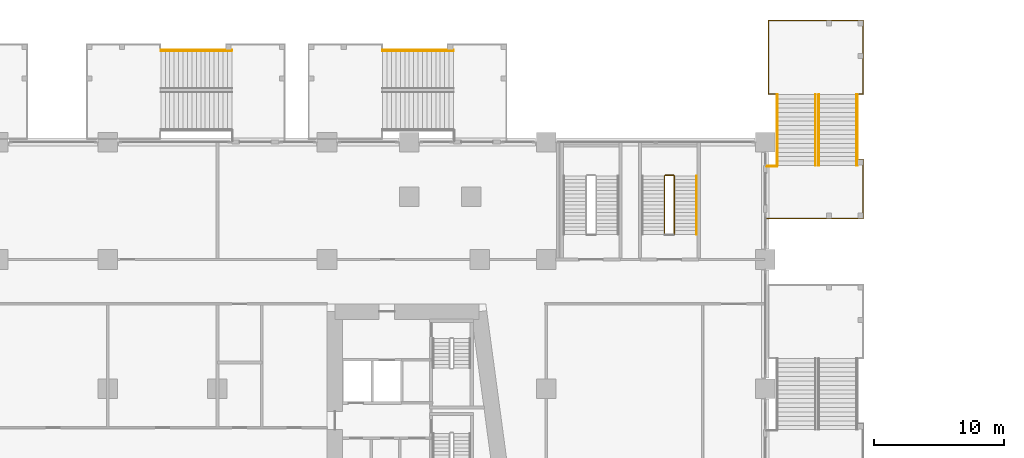
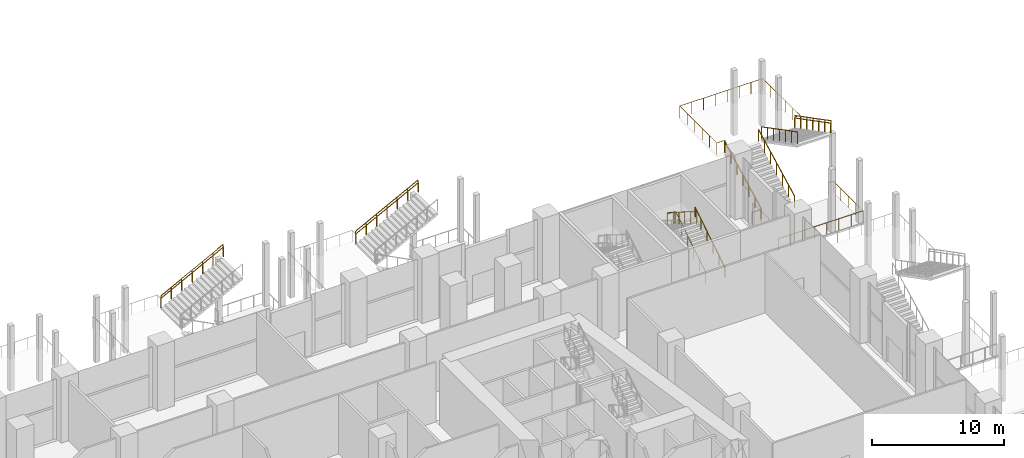
# One storey, part 46 of 49: 15 railings.
"""IFC4 building model written with IfcOpenShell, lengths in metres."""

from ifc_helpers import new_model, si_unit, direction, frame, origin, origin_2d, place, context, subcontext, project, spatial, circle, extrude, material, type_object, element, save


model = new_model("IFC4")

# Units and contexts
model_context = context("Model", 3, precision=1e-05, world=origin(), true_north=direction((0.0, 1.0)))
body_context = subcontext(model_context, "Body", "Model", "MODEL_VIEW")
ifc_project = project(units=[si_unit("LENGTHUNIT", "METRE"), si_unit("AREAUNIT", "SQUARE_METRE"), si_unit("VOLUMEUNIT", "CUBIC_METRE"), si_unit("PLANEANGLEUNIT", "RADIAN"), si_unit("MASSUNIT", "GRAM", prefix="KILO")], contexts=[model_context])

# Site, building, storey
site_placement = place(None, origin())
site = spatial("IfcSite", under=ifc_project, at=site_placement, CompositionType="ELEMENT")
building_placement = place(site_placement, origin())
building = spatial("IfcBuilding", under=site, at=building_placement, Name="Candeia Pilgrim Tower and Theatre", CompositionType="ELEMENT")
storey_placement = place(building_placement, frame((0.0, 0.0, 17.0)))
storey = spatial("IfcBuildingStorey", under=building, at=storey_placement, Name="L02", CompositionType="ELEMENT", Elevation=17.0)

# Railings
ifc_material_1 = material(Name="Stainless steel balustrade", Category="steel")
railing_type_1 = type_object("IfcRailingType", Name="RL-GUARD-1100", PredefinedType="GUARDRAIL", material=ifc_material_1)
railing_1_placement = place(storey_placement, frame((152.625, 137.72509765625, 0.176513671875)))
element("IfcRailing", 1, at=railing_1_placement, inside=storey, type_object=railing_type_1, Name="L02 PS4 stair guard 1", PredefinedType="GUARDRAIL", context=body_context, shape_type="SweptSolid", body=[
    extrude(circle(Radius=0.02392578125, at=origin_2d()), frame((0.0, 0.0, 1.076171875), z_axis=(0.0, 0.845997938375, 0.533186166611), x_axis=(-1.0, 0.0, 0.0)), (0.0, 0.0, 1.0), 5.29541015625),
    extrude(circle(Radius=0.02392578125, at=origin_2d()), frame((0.0, 4.47998046875, 3.8994140625), z_axis=(-0.708833529934, 0.705375805398, 0.0), x_axis=(-0.705375805398, -0.708833529934, 0.0)), (0.0, 0.0, 1.0), 0.070556640625),
    extrude(circle(Radius=0.02392578125, at=origin_2d()), frame((-0.050048828125, 4.52978515625, 3.8994140625), z_axis=(-1.0, 0.0, 0.0), x_axis=(0.0, -1.0, 0.0)), (0.0, 0.0, 1.0), 0.64990234375),
    extrude(circle(Radius=0.02392578125, at=origin_2d()), frame((-0.699951171875, 4.52978515625, 3.8994140625), z_axis=(-0.263260079301, -0.261975883792, 0.928473352853), x_axis=(0.705375805398, -0.708833529934, 0.0)), (0.0, 0.0, 1.0), 0.190185546875),
    extrude(circle(Radius=0.02392578125, at=origin_2d()), frame((-0.75, 4.47998046875, 4.076171875), z_axis=(0.0, -0.845997938375, 0.533186166611), x_axis=(1.0, 0.0, 0.0)), (0.0, 0.0, 1.0), 5.29541015625),
    extrude(circle(Radius=0.02099609375, at=origin_2d()), origin(), (0.0, 0.0, 1.0), 1.052001953125),
    extrude(circle(Radius=0.02099609375, at=origin_2d()), frame((0.0, 0.89599609375, 0.564697265625)), (0.0, 0.0, 1.0), 1.052001953125),
    extrude(circle(Radius=0.02099609375, at=origin_2d()), frame((0.0, 1.7919921875, 1.12939453125)), (0.0, 0.0, 1.0), 1.052001953125),
    extrude(circle(Radius=0.02099609375, at=origin_2d()), frame((0.0, 2.68798828125, 1.694091796875)), (0.0, 0.0, 1.0), 1.052001953125),
    extrude(circle(Radius=0.02099609375, at=origin_2d()), frame((0.0, 3.583984375, 2.2587890625)), (0.0, 0.0, 1.0), 1.052001953125),
    extrude(circle(Radius=0.02099609375, at=origin_2d()), frame((0.0, 4.47998046875, 2.823486328125)), (0.0, 0.0, 1.0), 1.052001953125),
    extrude(circle(Radius=0.02099609375, at=origin_2d()), frame((-0.050048828125, 4.52978515625, 2.823486328125)), (0.0, 0.0, 1.0), 1.052001953125),
    extrude(circle(Radius=0.02099609375, at=origin_2d()), frame((-0.699951171875, 4.52978515625, 2.823486328125)), (0.0, 0.0, 1.0), 1.052001953125),
    extrude(circle(Radius=0.02099609375, at=origin_2d()), frame((-0.75, 4.47998046875, 3.0)), (0.0, 0.0, 1.0), 1.052001953125),
    extrude(circle(Radius=0.02099609375, at=origin_2d()), frame((-0.75, 3.583984375, 3.564697265625)), (0.0, 0.0, 1.0), 1.052001953125),
    extrude(circle(Radius=0.02099609375, at=origin_2d()), frame((-0.75, 2.68798828125, 4.12939453125)), (0.0, 0.0, 1.0), 1.052001953125),
    extrude(circle(Radius=0.02099609375, at=origin_2d()), frame((-0.75, 1.7919921875, 4.694091796875)), (0.0, 0.0, 1.0), 1.052001953125),
    extrude(circle(Radius=0.02099609375, at=origin_2d()), frame((-0.75, 0.89599609375, 5.2587890625)), (0.0, 0.0, 1.0), 1.052001953125),
    extrude(circle(Radius=0.02099609375, at=origin_2d()), frame((-0.75, 0.0, 5.823486328125)), (0.0, 0.0, 1.0), 1.052001953125),
])
railing_2_placement = place(storey_placement, frame((163.449951171875, 143.0, 0.176513671875)))
element("IfcRailing", 2, at=railing_2_placement, inside=storey, type_object=railing_type_1, Name="L02 ES2 stair guard 1", PredefinedType="GUARDRAIL", context=body_context, shape_type="SweptSolid", body=[
    extrude(circle(Radius=0.02392578125, at=origin_2d()), frame((0.0, 0.0, 1.076171875), z_axis=(0.0, 0.887569374008, 0.460674078198), x_axis=(-1.0, 0.0, 0.0)), (0.0, 0.0, 1.0), 6.129150390625),
    extrude(circle(Radius=0.02099609375, at=origin_2d()), origin(), (0.0, 0.0, 1.0), 1.052001953125),
    extrude(circle(Radius=0.02099609375, at=origin_2d()), frame((0.0, 0.90673828125, 0.470703125)), (0.0, 0.0, 1.0), 1.052001953125),
    extrude(circle(Radius=0.02099609375, at=origin_2d()), frame((0.0, 1.813232421875, 0.941162109375)), (0.0, 0.0, 1.0), 1.052001953125),
    extrude(circle(Radius=0.02099609375, at=origin_2d()), frame((0.0, 2.719970703125, 1.41162109375)), (0.0, 0.0, 1.0), 1.052001953125),
    extrude(circle(Radius=0.02099609375, at=origin_2d()), frame((0.0, 3.626708984375, 1.88232421875)), (0.0, 0.0, 1.0), 1.052001953125),
    extrude(circle(Radius=0.02099609375, at=origin_2d()), frame((0.0, 4.533203125, 2.35302734375)), (0.0, 0.0, 1.0), 1.052001953125),
    extrude(circle(Radius=0.02099609375, at=origin_2d()), frame((0.0, 5.43994140625, 2.823486328125)), (0.0, 0.0, 1.0), 1.052001953125),
])
railing_3_placement = place(storey_placement, frame((163.699951171875, 148.43994140625, 3.176513671875)))
element("IfcRailing", 3, at=railing_3_placement, inside=storey, type_object=railing_type_1, Name="L02 ES2 stair guard 2", PredefinedType="GUARDRAIL", context=body_context, shape_type="SweptSolid", body=[
    extrude(circle(Radius=0.02392578125, at=origin_2d()), frame((0.0, 0.0, 1.076171875), z_axis=(0.0, -0.887569374008, 0.460674078198), x_axis=(1.0, 0.0, 0.0)), (0.0, 0.0, 1.0), 6.129150390625),
    extrude(circle(Radius=0.02099609375, at=origin_2d()), origin(), (0.0, 0.0, 1.0), 1.052001953125),
    extrude(circle(Radius=0.02099609375, at=origin_2d()), frame((0.0, -0.90673828125, 0.470703125)), (0.0, 0.0, 1.0), 1.052001953125),
    extrude(circle(Radius=0.02099609375, at=origin_2d()), frame((0.0, -1.813232421875, 0.941162109375)), (0.0, 0.0, 1.0), 1.052001953125),
    extrude(circle(Radius=0.02099609375, at=origin_2d()), frame((0.0, -2.719970703125, 1.41162109375)), (0.0, 0.0, 1.0), 1.052001953125),
    extrude(circle(Radius=0.02099609375, at=origin_2d()), frame((0.0, -3.626708984375, 1.88232421875)), (0.0, 0.0, 1.0), 1.052001953125),
    extrude(circle(Radius=0.02099609375, at=origin_2d()), frame((0.0, -4.533203125, 2.35302734375)), (0.0, 0.0, 1.0), 1.052001953125),
    extrude(circle(Radius=0.02099609375, at=origin_2d()), frame((0.0, -5.43994140625, 2.823486328125)), (0.0, 0.0, 1.0), 1.052001953125),
])
railing_4_placement = place(storey_placement, frame((160.5, 143.0, 0.176513671875)))
element("IfcRailing", 4, at=railing_4_placement, inside=storey, type_object=railing_type_1, Name="L02 ES2 stair guard 3", PredefinedType="GUARDRAIL", context=body_context, shape_type="SweptSolid", body=[
    extrude(circle(Radius=0.02392578125, at=origin_2d()), frame((0.0, 0.0, 1.076171875), z_axis=(0.0, 0.887569374008, 0.460674078198), x_axis=(-1.0, 0.0, 0.0)), (0.0, 0.0, 1.0), 6.129150390625),
    extrude(circle(Radius=0.02099609375, at=origin_2d()), origin(), (0.0, 0.0, 1.0), 1.052001953125),
    extrude(circle(Radius=0.02099609375, at=origin_2d()), frame((0.0, 0.90673828125, 0.470703125)), (0.0, 0.0, 1.0), 1.052001953125),
    extrude(circle(Radius=0.02099609375, at=origin_2d()), frame((0.0, 1.813232421875, 0.941162109375)), (0.0, 0.0, 1.0), 1.052001953125),
    extrude(circle(Radius=0.02099609375, at=origin_2d()), frame((0.0, 2.719970703125, 1.41162109375)), (0.0, 0.0, 1.0), 1.052001953125),
    extrude(circle(Radius=0.02099609375, at=origin_2d()), frame((0.0, 3.626708984375, 1.88232421875)), (0.0, 0.0, 1.0), 1.052001953125),
    extrude(circle(Radius=0.02099609375, at=origin_2d()), frame((0.0, 4.533203125, 2.35302734375)), (0.0, 0.0, 1.0), 1.052001953125),
    extrude(circle(Radius=0.02099609375, at=origin_2d()), frame((0.0, 5.43994140625, 2.823486328125)), (0.0, 0.0, 1.0), 1.052001953125),
])
railing_5_placement = place(storey_placement, frame((166.64990234375, 148.43994140625, 3.176513671875)))
element("IfcRailing", 5, at=railing_5_placement, inside=storey, type_object=railing_type_1, Name="L02 ES2 stair guard 4", PredefinedType="GUARDRAIL", context=body_context, shape_type="SweptSolid", body=[
    extrude(circle(Radius=0.02392578125, at=origin_2d()), frame((0.0, 0.0, 1.076171875), z_axis=(0.0, -0.887569374008, 0.460674078198), x_axis=(1.0, 0.0, 0.0)), (0.0, 0.0, 1.0), 6.129150390625),
    extrude(circle(Radius=0.02099609375, at=origin_2d()), origin(), (0.0, 0.0, 1.0), 1.052001953125),
    extrude(circle(Radius=0.02099609375, at=origin_2d()), frame((0.0, -0.90673828125, 0.470703125)), (0.0, 0.0, 1.0), 1.052001953125),
    extrude(circle(Radius=0.02099609375, at=origin_2d()), frame((0.0, -1.813232421875, 0.941162109375)), (0.0, 0.0, 1.0), 1.052001953125),
    extrude(circle(Radius=0.02099609375, at=origin_2d()), frame((0.0, -2.719970703125, 1.41162109375)), (0.0, 0.0, 1.0), 1.052001953125),
    extrude(circle(Radius=0.02099609375, at=origin_2d()), frame((0.0, -3.626708984375, 1.88232421875)), (0.0, 0.0, 1.0), 1.052001953125),
    extrude(circle(Radius=0.02099609375, at=origin_2d()), frame((0.0, -4.533203125, 2.35302734375)), (0.0, 0.0, 1.0), 1.052001953125),
    extrude(circle(Radius=0.02099609375, at=origin_2d()), frame((0.0, -5.43994140625, 2.823486328125)), (0.0, 0.0, 1.0), 1.052001953125),
])
railing_6_placement = place(storey_placement, frame((160.5, 148.489990234375, 3.0)))
element("IfcRailing", 6, at=railing_6_placement, inside=storey, type_object=railing_type_1, Name="L02 ES2 stair guard 5", PredefinedType="GUARDRAIL", context=body_context, shape_type="SweptSolid", body=[
    extrude(circle(Radius=0.02392578125, at=origin_2d()), frame((0.0, 0.0, 1.076171875), z_axis=(-1.0, 0.0, 0.0), x_axis=(0.0, -1.0, 0.0)), (0.0, 0.0, 1.0), 0.64990234375),
    extrude(circle(Radius=0.02392578125, at=origin_2d()), frame((-0.64990234375, 0.0, 1.076171875), z_axis=(0.0, 1.0, 0.0), x_axis=(-1.0, 0.0, 0.0)), (0.0, 0.0, 1.0), 5.6201171875),
    extrude(circle(Radius=0.02392578125, at=origin_2d()), frame((-0.64990234375, 5.6201171875, 1.076171875), z_axis=(1.0, 0.0, 0.0), x_axis=(0.0, 1.0, 0.0)), (0.0, 0.0, 1.0), 7.25),
    extrude(circle(Radius=0.02392578125, at=origin_2d()), frame((6.60009765625, 5.6201171875, 1.076171875), z_axis=(0.0, -1.0, 0.0), x_axis=(1.0, 0.0, 0.0)), (0.0, 0.0, 1.0), 5.6201171875),
    extrude(circle(Radius=0.02392578125, at=origin_2d()), frame((6.60009765625, 0.0, 1.076171875), z_axis=(-1.0, 0.0, 0.0), x_axis=(0.0, -1.0, 0.0)), (0.0, 0.0, 1.0), 0.4501953125),
    extrude(circle(Radius=0.02099609375, at=origin_2d()), origin(), (0.0, 0.0, 1.0), 1.052001953125),
    extrude(circle(Radius=0.02099609375, at=origin_2d()), frame((-0.64990234375, 0.0, 0.0)), (0.0, 0.0, 1.0), 1.052001953125),
    extrude(circle(Radius=0.02099609375, at=origin_2d()), frame((-0.64990234375, 1.1240234375, 0.0)), (0.0, 0.0, 1.0), 1.052001953125),
    extrude(circle(Radius=0.02099609375, at=origin_2d()), frame((-0.64990234375, 2.248046875, 0.0)), (0.0, 0.0, 1.0), 1.052001953125),
    extrude(circle(Radius=0.02099609375, at=origin_2d()), frame((-0.64990234375, 3.3720703125, 0.0)), (0.0, 0.0, 1.0), 1.052001953125),
    extrude(circle(Radius=0.02099609375, at=origin_2d()), frame((-0.64990234375, 4.49609375, 0.0)), (0.0, 0.0, 1.0), 1.052001953125),
    extrude(circle(Radius=0.02099609375, at=origin_2d()), frame((-0.64990234375, 5.6201171875, 0.0)), (0.0, 0.0, 1.0), 1.052001953125),
    extrude(circle(Radius=0.02099609375, at=origin_2d()), frame((0.3857421875, 5.6201171875, 0.0)), (0.0, 0.0, 1.0), 1.052001953125),
    extrude(circle(Radius=0.02099609375, at=origin_2d()), frame((1.421630859375, 5.6201171875, 0.0)), (0.0, 0.0, 1.0), 1.052001953125),
    extrude(circle(Radius=0.02099609375, at=origin_2d()), frame((2.457275390625, 5.6201171875, 0.0)), (0.0, 0.0, 1.0), 1.052001953125),
    extrude(circle(Radius=0.02099609375, at=origin_2d()), frame((3.492919921875, 5.6201171875, 0.0)), (0.0, 0.0, 1.0), 1.052001953125),
    extrude(circle(Radius=0.02099609375, at=origin_2d()), frame((4.528564453125, 5.6201171875, 0.0)), (0.0, 0.0, 1.0), 1.052001953125),
    extrude(circle(Radius=0.02099609375, at=origin_2d()), frame((5.564453125, 5.6201171875, 0.0)), (0.0, 0.0, 1.0), 1.052001953125),
    extrude(circle(Radius=0.02099609375, at=origin_2d()), frame((6.60009765625, 5.6201171875, 0.0)), (0.0, 0.0, 1.0), 1.052001953125),
    extrude(circle(Radius=0.02099609375, at=origin_2d()), frame((6.60009765625, 4.49609375, 0.0)), (0.0, 0.0, 1.0), 1.052001953125),
    extrude(circle(Radius=0.02099609375, at=origin_2d()), frame((6.60009765625, 3.3720703125, 0.0)), (0.0, 0.0, 1.0), 1.052001953125),
    extrude(circle(Radius=0.02099609375, at=origin_2d()), frame((6.60009765625, 2.248046875, 0.0)), (0.0, 0.0, 1.0), 1.052001953125),
    extrude(circle(Radius=0.02099609375, at=origin_2d()), frame((6.60009765625, 1.1240234375, 0.0)), (0.0, 0.0, 1.0), 1.052001953125),
    extrude(circle(Radius=0.02099609375, at=origin_2d()), frame((6.60009765625, 0.0, 0.0)), (0.0, 0.0, 1.0), 1.052001953125),
    extrude(circle(Radius=0.02099609375, at=origin_2d()), frame((6.14990234375, 0.0, 0.0)), (0.0, 0.0, 1.0), 1.052001953125),
])
railing_7_placement = place(storey_placement, frame((159.699951171875, 138.949951171875, 0.0)))
element("IfcRailing", 7, at=railing_7_placement, inside=storey, type_object=railing_type_1, Name="L02 External escape stair ES2 landing guard", PredefinedType="GUARDRAIL", context=body_context, shape_type="SweptSolid", body=[
    extrude(circle(Radius=0.02392578125, at=origin_2d()), frame((0.0, 0.0, 1.076171875), z_axis=(1.0, 0.0, 0.0), x_axis=(0.0, 1.0, 0.0)), (0.0, 0.0, 1.0), 7.400146484375),
    extrude(circle(Radius=0.02392578125, at=origin_2d()), frame((7.400146484375, 0.0, 1.076171875), z_axis=(0.0, 1.0, 0.0), x_axis=(-1.0, 0.0, 0.0)), (0.0, 0.0, 1.0), 4.5),
    extrude(circle(Radius=0.02392578125, at=origin_2d()), frame((7.400146484375, 4.5, 1.076171875), z_axis=(-1.0, 0.0, 0.0), x_axis=(0.0, -1.0, 0.0)), (0.0, 0.0, 1.0), 0.4501953125),
    extrude(circle(Radius=0.02099609375, at=origin_2d()), origin(), (0.0, 0.0, 1.0), 1.052001953125),
    extrude(circle(Radius=0.02099609375, at=origin_2d()), frame((1.05712890625, 0.0, 0.0)), (0.0, 0.0, 1.0), 1.052001953125),
    extrude(circle(Radius=0.02099609375, at=origin_2d()), frame((2.1142578125, 0.0, 0.0)), (0.0, 0.0, 1.0), 1.052001953125),
    extrude(circle(Radius=0.02099609375, at=origin_2d()), frame((3.17138671875, 0.0, 0.0)), (0.0, 0.0, 1.0), 1.052001953125),
    extrude(circle(Radius=0.02099609375, at=origin_2d()), frame((4.228759765625, 0.0, 0.0)), (0.0, 0.0, 1.0), 1.052001953125),
    extrude(circle(Radius=0.02099609375, at=origin_2d()), frame((5.285888671875, 0.0, 0.0)), (0.0, 0.0, 1.0), 1.052001953125),
    extrude(circle(Radius=0.02099609375, at=origin_2d()), frame((6.343017578125, 0.0, 0.0)), (0.0, 0.0, 1.0), 1.052001953125),
    extrude(circle(Radius=0.02099609375, at=origin_2d()), frame((7.400146484375, 0.0, 0.0)), (0.0, 0.0, 1.0), 1.052001953125),
    extrude(circle(Radius=0.02099609375, at=origin_2d()), frame((7.400146484375, 1.125, 0.0)), (0.0, 0.0, 1.0), 1.052001953125),
    extrude(circle(Radius=0.02099609375, at=origin_2d()), frame((7.400146484375, 2.25, 0.0)), (0.0, 0.0, 1.0), 1.052001953125),
    extrude(circle(Radius=0.02099609375, at=origin_2d()), frame((7.400146484375, 3.375, 0.0)), (0.0, 0.0, 1.0), 1.052001953125),
    extrude(circle(Radius=0.02099609375, at=origin_2d()), frame((7.400146484375, 4.5, 0.0)), (0.0, 0.0, 1.0), 1.052001953125),
    extrude(circle(Radius=0.02099609375, at=origin_2d()), frame((6.949951171875, 4.5, 0.0)), (0.0, 0.0, 1.0), 1.052001953125),
])
railing_8_placement = place(storey_placement, frame((159.699951171875, 142.949951171875, 0.0)))
element("IfcRailing", 8, at=railing_8_placement, inside=storey, type_object=railing_type_1, Name="L02 External escape stair ES2 bridge guard", PredefinedType="GUARDRAIL", context=body_context, shape_type="SweptSolid", body=[
    extrude(circle(Radius=0.02392578125, at=origin_2d()), frame((0.0, 0.0, 1.076171875), z_axis=(1.0, 0.0, 0.0), x_axis=(0.0, 1.0, 0.0)), (0.0, 0.0, 1.0), 0.800048828125),
    extrude(circle(Radius=0.02099609375, at=origin_2d()), origin(), (0.0, 0.0, 1.0), 1.052001953125),
    extrude(circle(Radius=0.02099609375, at=origin_2d()), frame((0.800048828125, 0.0, 0.0)), (0.0, 0.0, 1.0), 1.052001953125),
])
for number, where, name in (
    (9, (113.260009765625, 151.85009765625, 3.176513671875), "L02 ES6 stair guard 4"),
    (10, (130.260009765625, 151.85009765625, 3.176513671875), "L02 ES7 stair guard 4"),
):
    element("IfcRailing", number, at=place(storey_placement, frame(where)), inside=storey, type_object=railing_type_1, Name=name, PredefinedType="GUARDRAIL", context=body_context, shape_type="SweptSolid", body=[
        extrude(circle(Radius=0.02392578125, at=origin_2d()), frame((0.0, 0.0, 1.076171875), z_axis=(0.887569374008, 0.0, 0.460674078198), x_axis=(0.0, 1.0, 0.0)), (0.0, 0.0, 1.0), 6.129150390625),
        extrude(circle(Radius=0.02099609375, at=origin_2d()), origin(), (0.0, 0.0, 1.0), 1.052001953125),
        extrude(circle(Radius=0.02099609375, at=origin_2d()), frame((0.90673828125, 0.0, 0.470703125)), (0.0, 0.0, 1.0), 1.052001953125),
        extrude(circle(Radius=0.02099609375, at=origin_2d()), frame((1.813232421875, 0.0, 0.941162109375)), (0.0, 0.0, 1.0), 1.052001953125),
        extrude(circle(Radius=0.02099609375, at=origin_2d()), frame((2.719970703125, 0.0, 1.41162109375)), (0.0, 0.0, 1.0), 1.052001953125),
        extrude(circle(Radius=0.02099609375, at=origin_2d()), frame((3.626708984375, 0.0, 1.88232421875)), (0.0, 0.0, 1.0), 1.052001953125),
        extrude(circle(Radius=0.02099609375, at=origin_2d()), frame((4.533203125, 0.0, 2.35302734375)), (0.0, 0.0, 1.0), 1.052001953125),
        extrude(circle(Radius=0.02099609375, at=origin_2d()), frame((5.43994140625, 0.0, 2.823486328125)), (0.0, 0.0, 1.0), 1.052001953125),
    ])
ifc_material_2 = material(Name="Stainless steel handrail", Category="steel")
railing_type_2 = type_object("IfcRailingType", Name="RL-HANDRAIL-900", PredefinedType="HANDRAIL", material=ifc_material_2)
railing_9_placement = place(storey_placement, frame((154.324951171875, 137.72509765625, 0.176513671875)))
element("IfcRailing", 11, at=railing_9_placement, inside=storey, type_object=railing_type_2, Name="L02 PS4 stair handrail 1", PredefinedType="HANDRAIL", context=body_context, shape_type="SweptSolid", body=[
    extrude(circle(Radius=0.02392578125, at=origin_2d()), frame((0.0, 0.0, 0.8759765625), z_axis=(0.0, 0.845997938375, 0.533186166611), x_axis=(-1.0, 0.0, 0.0)), (0.0, 0.0, 1.0), 5.29541015625),
    extrude(circle(Radius=0.02099609375, at=origin_2d()), origin(), (0.0, 0.0, 1.0), 0.851806640625),
    extrude(circle(Radius=0.02099609375, at=origin_2d()), frame((0.0, 0.89599609375, 0.564697265625)), (0.0, 0.0, 1.0), 0.851806640625),
    extrude(circle(Radius=0.02099609375, at=origin_2d()), frame((0.0, 1.7919921875, 1.12939453125)), (0.0, 0.0, 1.0), 0.851806640625),
    extrude(circle(Radius=0.02099609375, at=origin_2d()), frame((0.0, 2.68798828125, 1.694091796875)), (0.0, 0.0, 1.0), 0.851806640625),
    extrude(circle(Radius=0.02099609375, at=origin_2d()), frame((0.0, 3.583984375, 2.2587890625)), (0.0, 0.0, 1.0), 0.851806640625),
    extrude(circle(Radius=0.02099609375, at=origin_2d()), frame((0.0, 4.47998046875, 2.823486328125)), (0.0, 0.0, 1.0), 0.851806640625),
])
railing_10_placement = place(storey_placement, frame((160.550048828125, 143.0, 0.176513671875)))
element("IfcRailing", 12, at=railing_10_placement, inside=storey, type_object=railing_type_2, Name="L02 ES2 stair handrail 1", PredefinedType="HANDRAIL", context=body_context, shape_type="SweptSolid", body=[
    extrude(circle(Radius=0.02392578125, at=origin_2d()), frame((0.0, 0.0, 0.8759765625), z_axis=(0.0, 0.887569374008, 0.460674078198), x_axis=(-1.0, 0.0, 0.0)), (0.0, 0.0, 1.0), 6.129150390625),
    extrude(circle(Radius=0.02099609375, at=origin_2d()), origin(), (0.0, 0.0, 1.0), 0.851806640625),
    extrude(circle(Radius=0.02099609375, at=origin_2d()), frame((0.0, 0.90673828125, 0.470703125)), (0.0, 0.0, 1.0), 0.851806640625),
    extrude(circle(Radius=0.02099609375, at=origin_2d()), frame((0.0, 1.813232421875, 0.941162109375)), (0.0, 0.0, 1.0), 0.851806640625),
    extrude(circle(Radius=0.02099609375, at=origin_2d()), frame((0.0, 2.719970703125, 1.41162109375)), (0.0, 0.0, 1.0), 0.851806640625),
    extrude(circle(Radius=0.02099609375, at=origin_2d()), frame((0.0, 3.626708984375, 1.88232421875)), (0.0, 0.0, 1.0), 0.851806640625),
    extrude(circle(Radius=0.02099609375, at=origin_2d()), frame((0.0, 4.533203125, 2.35302734375)), (0.0, 0.0, 1.0), 0.851806640625),
    extrude(circle(Radius=0.02099609375, at=origin_2d()), frame((0.0, 5.43994140625, 2.823486328125)), (0.0, 0.0, 1.0), 0.851806640625),
])
railing_11_placement = place(storey_placement, frame((166.60009765625, 148.43994140625, 3.176513671875)))
element("IfcRailing", 13, at=railing_11_placement, inside=storey, type_object=railing_type_2, Name="L02 ES2 stair handrail 2", PredefinedType="HANDRAIL", context=body_context, shape_type="SweptSolid", body=[
    extrude(circle(Radius=0.02392578125, at=origin_2d()), frame((0.0, 0.0, 0.8759765625), z_axis=(0.0, -0.887569374008, 0.460674078198), x_axis=(1.0, 0.0, 0.0)), (0.0, 0.0, 1.0), 6.129150390625),
    extrude(circle(Radius=0.02099609375, at=origin_2d()), origin(), (0.0, 0.0, 1.0), 0.851806640625),
    extrude(circle(Radius=0.02099609375, at=origin_2d()), frame((0.0, -0.90673828125, 0.470703125)), (0.0, 0.0, 1.0), 0.851806640625),
    extrude(circle(Radius=0.02099609375, at=origin_2d()), frame((0.0, -1.813232421875, 0.941162109375)), (0.0, 0.0, 1.0), 0.851806640625),
    extrude(circle(Radius=0.02099609375, at=origin_2d()), frame((0.0, -2.719970703125, 1.41162109375)), (0.0, 0.0, 1.0), 0.851806640625),
    extrude(circle(Radius=0.02099609375, at=origin_2d()), frame((0.0, -3.626708984375, 1.88232421875)), (0.0, 0.0, 1.0), 0.851806640625),
    extrude(circle(Radius=0.02099609375, at=origin_2d()), frame((0.0, -4.533203125, 2.35302734375)), (0.0, 0.0, 1.0), 0.851806640625),
    extrude(circle(Radius=0.02099609375, at=origin_2d()), frame((0.0, -5.43994140625, 2.823486328125)), (0.0, 0.0, 1.0), 0.851806640625),
])
for number, where, name in (
    (14, (113.260009765625, 151.800048828125, 3.176513671875), "L02 ES6 stair handrail 2"),
    (15, (130.260009765625, 151.800048828125, 3.176513671875), "L02 ES7 stair handrail 2"),
):
    element("IfcRailing", number, at=place(storey_placement, frame(where)), inside=storey, type_object=railing_type_2, Name=name, PredefinedType="HANDRAIL", context=body_context, shape_type="SweptSolid", body=[
        extrude(circle(Radius=0.02392578125, at=origin_2d()), frame((0.0, 0.0, 0.8759765625), z_axis=(0.887569374008, 0.0, 0.460674078198), x_axis=(0.0, 1.0, 0.0)), (0.0, 0.0, 1.0), 6.129150390625),
        extrude(circle(Radius=0.02099609375, at=origin_2d()), origin(), (0.0, 0.0, 1.0), 0.851806640625),
        extrude(circle(Radius=0.02099609375, at=origin_2d()), frame((0.90673828125, 0.0, 0.470703125)), (0.0, 0.0, 1.0), 0.851806640625),
        extrude(circle(Radius=0.02099609375, at=origin_2d()), frame((1.813232421875, 0.0, 0.941162109375)), (0.0, 0.0, 1.0), 0.851806640625),
        extrude(circle(Radius=0.02099609375, at=origin_2d()), frame((2.719970703125, 0.0, 1.41162109375)), (0.0, 0.0, 1.0), 0.851806640625),
        extrude(circle(Radius=0.02099609375, at=origin_2d()), frame((3.626708984375, 0.0, 1.88232421875)), (0.0, 0.0, 1.0), 0.851806640625),
        extrude(circle(Radius=0.02099609375, at=origin_2d()), frame((4.533203125, 0.0, 2.35302734375)), (0.0, 0.0, 1.0), 0.851806640625),
        extrude(circle(Radius=0.02099609375, at=origin_2d()), frame((5.43994140625, 0.0, 2.823486328125)), (0.0, 0.0, 1.0), 0.851806640625),
    ])

save(model, "model.ifc")
